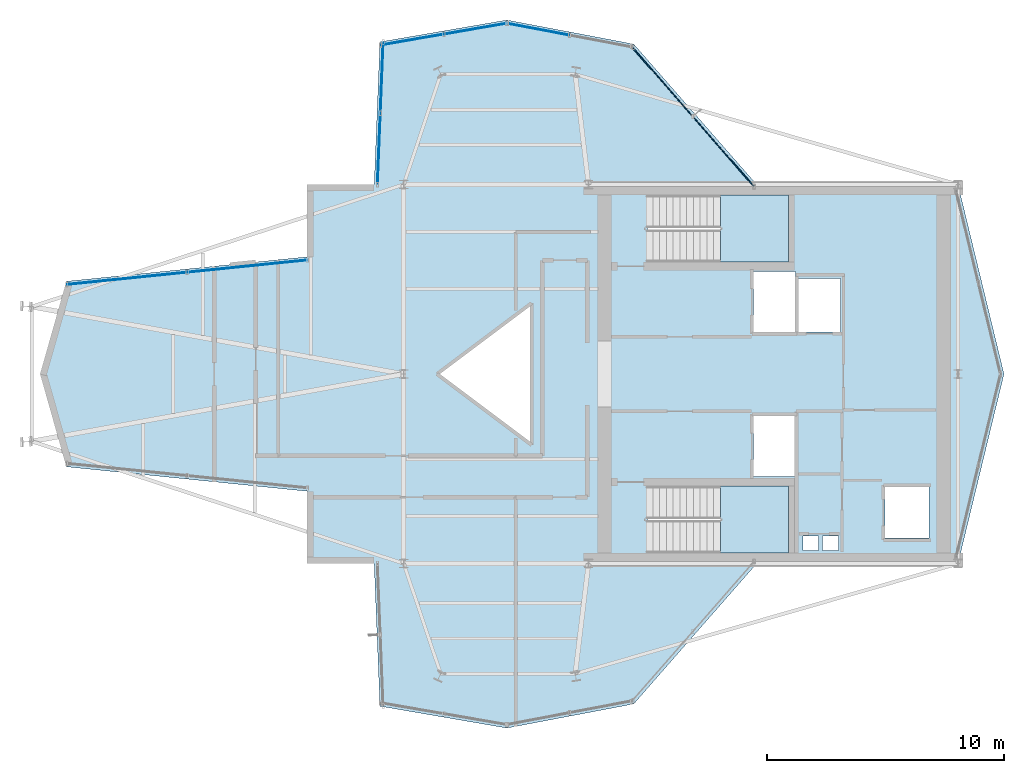
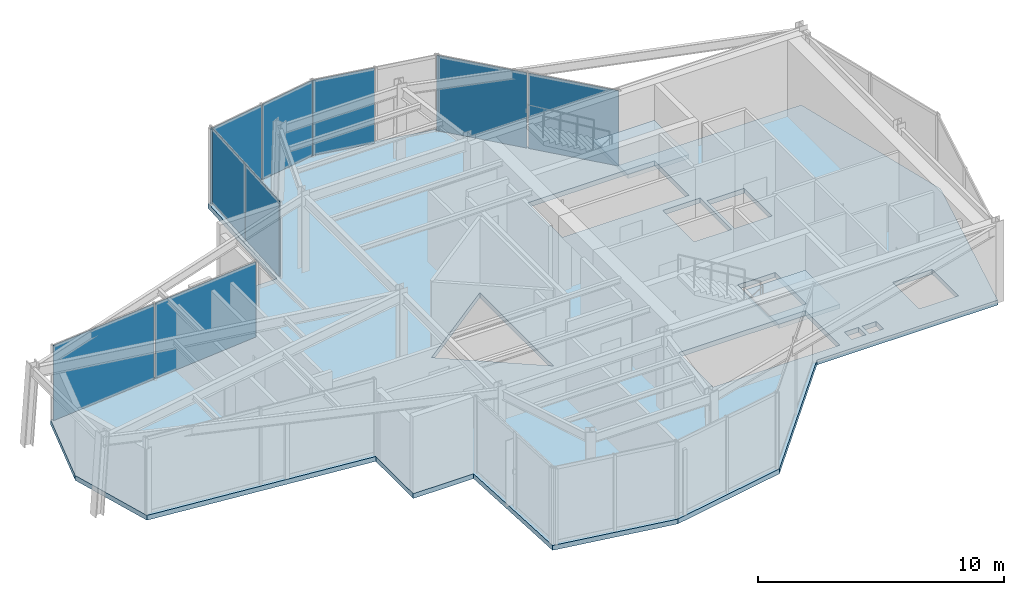
# One storey, part 9 of 13: 9 plates, 3 slabs, 7 elements without a shape of their own.
"""IFC4 building model written with IfcOpenShell, lengths in metres."""

import ifcopenshell
import ifcopenshell.guid

model = None  # the IFC model being written
_history = None  # IfcOwnerHistory: only IFC2X3 demands one
_inside = {}  # id of a spatial element -> (the spatial element, [elements in it])
_under = {}  # id of a project, library or spatial element -> (it, [spatial elements below it])
_declared = {}  # id of a project -> (the project, [libraries it declares])
_typed = {}  # id of a type object -> (the type object, [elements of that type])
_made_of = {}  # id of a material, layer set ... -> (it, [elements and type objects made of it])


def new_model(schema):
    """Start an empty IFC model of exactly this schema.

    Asked for "IFC4X3", IfcOpenShell would pick the latest addendum, in which some entities
    have other attributes; the version numbers below select the first issue.
    IFC2X3 requires an IfcOwnerHistory on every rooted entity: one is made here for all.
    """
    global model, _history
    if schema == "IFC4X3":
        model = ifcopenshell.file(schema_version=(4, 3, 0, 0))
    else:
        model = ifcopenshell.file(schema=schema)
    _inside.clear()
    _under.clear()
    _declared.clear()
    _typed.clear()
    _made_of.clear()
    _history = None
    if model.schema == "IFC2X3":
        org = make("IfcOrganization", Name="unknown")
        user = make(
            "IfcPersonAndOrganization",
            ThePerson=make("IfcPerson", FamilyName="unknown"),
            TheOrganization=org,
        )
        app = make(
            "IfcApplication",
            ApplicationDeveloper=org,
            Version="unknown",
            ApplicationFullName="unknown",
            ApplicationIdentifier="unknown",
        )
        _history = make(
            "IfcOwnerHistory",
            OwningUser=user,
            OwningApplication=app,
            ChangeAction="ADDED",
            CreationDate=0,
        )
    return model


def make(cls, **values):
    """One entity of the class cls with the attributes given. An attribute that is None is left unset."""
    return model.create_entity(
        cls, **{name: value for name, value in values.items() if value is not None}
    )


def rooted(cls, **values):
    """An entity with a GlobalId (a new one), such as an element, a storey or a relation."""
    return make(cls, GlobalId=ifcopenshell.guid.new(), OwnerHistory=_history, **values)


def si_unit(unit_type, name, prefix=None):
    """IfcSIUnit, for example si_unit("LENGTHUNIT", "METRE", prefix="MILLI")."""
    return make("IfcSIUnit", UnitType=unit_type, Prefix=prefix, Name=name)


def assignment(units):
    """IfcUnitAssignment: the units of a project."""
    return None if units is None else make("IfcUnitAssignment", Units=units)


def point(xyz):
    """IfcCartesianPoint."""
    return None if xyz is None else make("IfcCartesianPoint", Coordinates=xyz)


def direction(xyz):
    """IfcDirection."""
    return None if xyz is None else make("IfcDirection", DirectionRatios=xyz)


def frame(location, z_axis=None, x_axis=None):
    """IfcAxis2Placement3D, a coordinate frame: its origin and axes. An axis left out is left unset."""
    return make(
        "IfcAxis2Placement3D",
        Location=point(location),
        Axis=direction(z_axis),
        RefDirection=direction(x_axis),
    )


def frame_2d(location, x_axis=None):
    """IfcAxis2Placement2D, a coordinate frame in the plane: its origin and x axis."""
    return make(
        "IfcAxis2Placement2D", Location=point(location), RefDirection=direction(x_axis)
    )


def origin():
    """The frame at (0, 0, 0) with its axes left unset."""
    return frame((0.0, 0.0, 0.0))


def origin_2d():
    """The frame at (0, 0) in the plane with its x axis left unset."""
    return frame_2d((0.0, 0.0))


def place(relative_to, where):
    """IfcLocalPlacement: puts the frame where relative to a parent placement (None: the world)."""
    return make(
        "IfcLocalPlacement", PlacementRelTo=relative_to, RelativePlacement=where
    )


def context(
    kind, dimensions, precision=None, world=None, true_north=None, identifier=None
):
    """IfcGeometricRepresentationContext, for example the 3D "Model" context."""
    return make(
        "IfcGeometricRepresentationContext",
        ContextIdentifier=identifier,
        ContextType=kind,
        CoordinateSpaceDimension=dimensions,
        Precision=precision,
        WorldCoordinateSystem=world,
        TrueNorth=true_north,
    )


def subcontext(parent, identifier, kind, view, scale=None):
    """IfcGeometricRepresentationSubContext, for example "Body" below "Model"."""
    return make(
        "IfcGeometricRepresentationSubContext",
        ContextIdentifier=identifier,
        ContextType=kind,
        ParentContext=parent,
        TargetScale=scale,
        TargetView=view,
    )


def project(units=None, contexts=None):
    """IfcProject with its units and contexts."""
    return rooted(
        "IfcProject",
        Name="project",
        RepresentationContexts=contexts,
        UnitsInContext=assignment(units),
    )


def spatial(cls, under=None, at=None, **own):
    """A site, building, storey or space (cls), placed at a placement, below another one or the project."""
    s = rooted(cls, ObjectPlacement=at, **own)
    if under is not None:
        _under.setdefault(under.id(), (under, []))[1].append(s)
    return s


def polyline(points):
    """IfcPolyline through the points."""
    return make("IfcPolyline", Points=[point(p) for p in points])


def profile(cls, at=None, kind="AREA", **sizes):
    """A parametric profile (cls). Its sizes go by their IFC names, for example OverallWidth=200.0."""
    return make(cls, ProfileType=kind, Position=at, **sizes)


def rectangle(**sizes):
    """IfcRectangleProfileDef."""
    return profile("IfcRectangleProfileDef", **sizes)


def outline(outer, holes=None, kind="AREA"):
    """IfcArbitraryClosedProfileDef: a profile drawn as a closed curve; with holes, ...WithVoids."""
    if holes is None:
        return make("IfcArbitraryClosedProfileDef", ProfileType=kind, OuterCurve=outer)
    return make(
        "IfcArbitraryProfileDefWithVoids",
        ProfileType=kind,
        OuterCurve=outer,
        InnerCurves=holes,
    )


def extrude(swept, where, along, depth):
    """IfcExtrudedAreaSolid: the profile swept, set in the frame where, extruded along a direction by depth."""
    return make(
        "IfcExtrudedAreaSolid",
        SweptArea=swept,
        Position=where,
        ExtrudedDirection=direction(along),
        Depth=depth,
    )


def shape(context_of_items, identifier, shape_type, items):
    """IfcShapeRepresentation: the items that make up one representation, for example the "Body"."""
    return make(
        "IfcShapeRepresentation",
        ContextOfItems=context_of_items,
        RepresentationIdentifier=identifier,
        RepresentationType=shape_type,
        Items=items,
    )


def material(Name=None, Category=None):
    """IfcMaterial."""
    return make("IfcMaterial", Name=Name, Category=Category)


def layer(
    of_material, thickness, ventilated=None, Name=None, Category=None, Priority=None
):
    """IfcMaterialLayer: one layer of a wall or slab, of a material (None: an air gap)."""
    return make(
        "IfcMaterialLayer",
        Material=of_material,
        LayerThickness=thickness,
        IsVentilated=ventilated,
        Name=Name,
        Category=Category,
        Priority=Priority,
    )


def layer_set(layers, Name=None):
    """IfcMaterialLayerSet."""
    return make("IfcMaterialLayerSet", MaterialLayers=layers, LayerSetName=Name)


def made_of(thing, what):
    """Note that an element or type object is made of a material, layer set ...; save() writes the relation."""
    if what is not None:
        _made_of.setdefault(what.id(), (what, []))[1].append(thing)
    return thing


def type_object(cls, material=None, **own):
    """A type object (cls), such as IfcWallType, which elements share."""
    return made_of(rooted(cls, **own), material)


def element(
    cls,
    number,
    at=None,
    inside=None,
    cuts=None,
    type_object=None,
    material=None,
    context=None,
    identifier="Body",
    shape_type=None,
    held_by="IfcProductDefinitionShape",
    body=None,
    shapes=None,
    **own,
):
    """One element of the class cls, such as IfcWall. Its Tag is "e" and its number.

    at: its placement. inside: the storey or other place that contains it. cuts: it is an
    opening in that element (IfcRelVoidsElement). A single representation is given by context,
    identifier, shape_type and body (its items); several are given by shapes. held_by: the class
    of the entity that holds the representations. save() writes the other relations.
    """
    e = rooted(cls, Tag="e%d" % number, ObjectPlacement=at, **own)
    if body is not None:
        shapes = [shape(context, identifier, shape_type, body)]
    if shapes is not None:
        e.Representation = make(held_by, Representations=shapes)
    if inside is not None:
        _inside.setdefault(inside.id(), (inside, []))[1].append(e)
    if cuts is not None:
        rooted(
            "IfcRelVoidsElement", RelatingBuildingElement=cuts, RelatedOpeningElement=e
        )
    if type_object is not None:
        _typed.setdefault(type_object.id(), (type_object, []))[1].append(e)
    return made_of(e, material)


def aggregate(whole, parts):
    """IfcRelAggregates: a whole, such as a stair, and the parts it consists of."""
    return rooted("IfcRelAggregates", RelatingObject=whole, RelatedObjects=parts)


def save(model, path):
    """Write the relations noted so far, then the file.

    IfcRelAggregates (storeys below a building ...), IfcRelContainedInSpatialStructure (elements
    in a storey), IfcRelDefinesByType, IfcRelAssociatesMaterial and IfcRelDeclares: one each for
    every whole, place, type object, material and project.
    """
    for whole, parts in _under.values():
        aggregate(whole, parts)
    for where, things in _inside.values():
        rooted(
            "IfcRelContainedInSpatialStructure",
            RelatedElements=things,
            RelatingStructure=where,
        )
    for kind, things in _typed.values():
        rooted("IfcRelDefinesByType", RelatedObjects=things, RelatingType=kind)
    for what, things in _made_of.values():
        rooted("IfcRelAssociatesMaterial", RelatedObjects=things, RelatingMaterial=what)
    for by, libraries in _declared.values():
        rooted("IfcRelDeclares", RelatingContext=by, RelatedDefinitions=libraries)
    model.write(path)


model = new_model("IFC4")

# Units and contexts
model_context = context("Model", 3, precision=1e-05, world=origin(), true_north=direction((0.0, 1.0)))
body_context = subcontext(model_context, "Body", "Model", "MODEL_VIEW")
ifc_project = project(units=[si_unit("LENGTHUNIT", "METRE"), si_unit("AREAUNIT", "SQUARE_METRE"), si_unit("VOLUMEUNIT", "CUBIC_METRE"), si_unit("PLANEANGLEUNIT", "RADIAN"), si_unit("MASSUNIT", "GRAM", prefix="KILO")], contexts=[model_context])

# Site, building, storey
site_placement = place(None, origin())
site = spatial("IfcSite", under=ifc_project, at=site_placement, CompositionType="ELEMENT")
building_placement = place(site_placement, origin())
building = spatial("IfcBuilding", under=site, at=building_placement, Name="Veymaron Broadcast Tower", CompositionType="ELEMENT")
storey_placement = place(building_placement, frame((0.0, 0.0, 274.949951171875)))
storey = spatial("IfcBuildingStorey", under=building, at=storey_placement, Name="L64", CompositionType="ELEMENT", Elevation=274.949951171875)

# Curtain wall, plates
ifc_material_1 = material(Name="Anodised aluminium AA 6063-T6 and laminated low-E dark glass", Category="aluminium")
ifc_layer_1 = layer(ifc_material_1, 0.179931640625)
ifc_layer_set_1 = layer_set([ifc_layer_1], Name="Anodised aluminium AA 6063-T6 and laminated low-E dark glass")
curtain_wall_type = type_object("IfcCurtainWallType", Name="CW-SYS-06", PredefinedType="NOTDEFINED", material=ifc_layer_set_1)
curtain_wall_1_placement = place(storey_placement, origin())
curtain_wall_1 = element("IfcCurtainWall", 1, at=curtain_wall_1_placement, inside=storey, type_object=curtain_wall_type, Name="L64 dark-glass curtain wall CW-L64-E5-1", PredefinedType="NOTDEFINED")
ifc_material_2 = material(Name="Insulated dark-anodised aluminium spandrel panel 40 mm", Category="aluminium")
ifc_layer_2 = layer(ifc_material_2, 0.0400390625)
ifc_layer_set_2 = layer_set([ifc_layer_2], Name="Insulated dark-anodised aluminium spandrel panel 40 mm")
plate_type = type_object("IfcPlateType", Name="CW-PNL-03", PredefinedType="CURTAIN_PANEL", material=ifc_layer_set_2)
plate_1_placement = place(storey_placement, frame((44.697509765625, 33.389892578125, 0.0400390625), z_axis=(0.0, 0.0, 1.0), x_axis=(-0.658558128912, 0.752529860433, 0.0)))
plate_1 = element("IfcPlate", 2, at=plate_1_placement, type_object=plate_type, Name="CW-L64-E5-1 unitised curtain panel 0", PredefinedType="CURTAIN_PANEL", context=body_context, shape_type="SweptSolid", body=[
    extrude(rectangle(XDim=3.87939453125, YDim=0.0400390625, at=origin_2d()), origin(), (0.0, 0.0, 1.0), 3.72998046875),
])
plate_2_placement = place(storey_placement, frame((42.10302734375, 36.3544921875, 0.0400390625), z_axis=(0.0, 0.0, 1.0), x_axis=(-0.658558128912, 0.752529860433, 0.0)))
plate_2 = element("IfcPlate", 3, at=plate_2_placement, type_object=plate_type, Name="CW-L64-E5-1 unitised curtain panel 1", PredefinedType="CURTAIN_PANEL", context=body_context, shape_type="SweptSolid", body=[
    extrude(rectangle(XDim=3.87939453125, YDim=0.0400390625, at=origin_2d()), origin(), (0.0, 0.0, 1.0), 3.72998046875),
])
aggregate(curtain_wall_1, [plate_1, plate_2])

# Curtain wall, plate
curtain_wall_2_placement = place(storey_placement, origin())
curtain_wall_2 = element("IfcCurtainWall", 4, at=curtain_wall_2_placement, inside=storey, type_object=curtain_wall_type, Name="L64 dark-glass curtain wall CW-L64-E6-1", PredefinedType="NOTDEFINED")
plate_3_placement = place(storey_placement, frame((36.86669921875, 38.5537109375, 0.0400390625), z_axis=(0.0, 0.0, 1.0), x_axis=(-0.982479684732, 0.186369710761, 0.0)))
plate_3 = element("IfcPlate", 5, at=plate_3_placement, type_object=plate_type, Name="CW-L64-E6-1 unitised curtain panel 1", PredefinedType="CURTAIN_PANEL", context=body_context, shape_type="SweptSolid", body=[
    extrude(rectangle(XDim=2.6669921875, YDim=0.0400390625, at=origin_2d()), origin(), (0.0, 0.0, 1.0), 3.72998046875),
])
aggregate(curtain_wall_2, [plate_3])

# Curtain wall, plates
curtain_wall_3_placement = place(storey_placement, origin())
curtain_wall_3 = element("IfcCurtainWall", 6, at=curtain_wall_3_placement, inside=storey, type_object=curtain_wall_type, Name="L64 dark-glass curtain wall CW-L64-E7-1", PredefinedType="NOTDEFINED")
plate_4_placement = place(storey_placement, frame((34.2373046875, 38.576171875, 0.0400390625), z_axis=(0.0, 0.0, 1.0), x_axis=(-0.98545539152, -0.169934314736, 0.0)))
plate_4 = element("IfcPlate", 7, at=plate_4_placement, type_object=plate_type, Name="CW-L64-E7-1 unitised curtain panel 0", PredefinedType="CURTAIN_PANEL", context=body_context, shape_type="SweptSolid", body=[
    extrude(rectangle(XDim=2.65869140625, YDim=0.0400390625, at=origin_2d()), origin(), (0.0, 0.0, 1.0), 3.72998046875),
])
plate_5_placement = place(storey_placement, frame((31.558349609375, 38.1142578125, 0.0400390625), z_axis=(0.0, 0.0, 1.0), x_axis=(-0.98545539152, -0.169934314736, 0.0)))
plate_5 = element("IfcPlate", 8, at=plate_5_placement, type_object=plate_type, Name="CW-L64-E7-1 unitised curtain panel 1", PredefinedType="CURTAIN_PANEL", context=body_context, shape_type="SweptSolid", body=[
    extrude(rectangle(XDim=2.65869140625, YDim=0.0400390625, at=origin_2d()), origin(), (0.0, 0.0, 1.0), 3.72998046875),
])
aggregate(curtain_wall_3, [plate_4, plate_5])

curtain_wall_4_placement = place(storey_placement, origin())
curtain_wall_4 = element("IfcCurtainWall", 9, at=curtain_wall_4_placement, inside=storey, type_object=curtain_wall_type, Name="L64 dark-glass curtain wall CW-L64-E8-1", PredefinedType="NOTDEFINED")
plate_6_placement = place(storey_placement, frame((30.274658203125, 36.51025390625, 0.0400390625), z_axis=(0.0, 0.0, 1.0), x_axis=(-0.04004459622, -0.999197893469, 0.0)))
plate_6 = element("IfcPlate", 10, at=plate_6_placement, type_object=plate_type, Name="CW-L64-E8-1 unitised curtain panel 0", PredefinedType="CURTAIN_PANEL", context=body_context, shape_type="SweptSolid", body=[
    extrude(rectangle(XDim=2.952880859375, YDim=0.0400390625, at=origin_2d()), origin(), (0.0, 0.0, 1.0), 3.72998046875),
])
plate_7_placement = place(storey_placement, frame((30.15380859375, 33.499755859375, 0.0400390625), z_axis=(0.0, 0.0, 1.0), x_axis=(-0.04004459622, -0.999197893469, 0.0)))
plate_7 = element("IfcPlate", 11, at=plate_7_placement, type_object=plate_type, Name="CW-L64-E8-1 unitised curtain panel 1", PredefinedType="CURTAIN_PANEL", context=body_context, shape_type="SweptSolid", body=[
    extrude(rectangle(XDim=2.952880859375, YDim=0.0400390625, at=origin_2d()), origin(), (0.0, 0.0, 1.0), 3.72998046875),
])
aggregate(curtain_wall_4, [plate_6, plate_7])

curtain_wall_5_placement = place(storey_placement, origin())
curtain_wall_5 = element("IfcCurtainWall", 12, at=curtain_wall_5_placement, inside=storey, type_object=curtain_wall_type, Name="L64 dark-glass curtain wall CW-L64-E11-1", PredefinedType="NOTDEFINED")
plate_8_placement = place(storey_placement, frame((24.595458984375, 28.55126953125, 0.0400390625), z_axis=(0.0, 0.0, 1.0), x_axis=(-0.994870120783, -0.101160480293, 0.0)))
plate_8 = element("IfcPlate", 13, at=plate_8_placement, type_object=plate_type, Name="CW-L64-E11-1 unitised curtain panel 0", PredefinedType="CURTAIN_PANEL", context=body_context, shape_type="SweptSolid", body=[
    extrude(rectangle(XDim=5.047119140625, YDim=0.0400390625, at=origin_2d()), origin(), (0.0, 0.0, 1.0), 3.72998046875),
])
plate_9_placement = place(storey_placement, frame((19.5146484375, 28.03466796875, 0.0400390625), z_axis=(0.0, 0.0, 1.0), x_axis=(-0.994870120783, -0.101160480293, 0.0)))
plate_9 = element("IfcPlate", 14, at=plate_9_placement, type_object=plate_type, Name="CW-L64-E11-1 unitised curtain panel 1", PredefinedType="CURTAIN_PANEL", context=body_context, shape_type="SweptSolid", body=[
    extrude(rectangle(XDim=5.047119140625, YDim=0.0400390625, at=origin_2d()), origin(), (0.0, 0.0, 1.0), 3.72998046875),
])
aggregate(curtain_wall_5, [plate_8, plate_9])

# Slab
ifc_material_3 = material(Name="Concrete C40/50", Category="concrete")
ifc_layer_3 = layer(ifc_material_3, 0.239990234375)
ifc_layer_set_3 = layer_set([ifc_layer_3], Name="Concrete C40/50")
slab_type_1 = type_object("IfcSlabType", Name="SLAB-FS6", PredefinedType="FLOOR", material=ifc_layer_set_3)
slab_1_placement = place(storey_placement, frame((0.0, 0.0, -0.239990234375)))
element("IfcSlab", 15, at=slab_1_placement, inside=storey, type_object=slab_type_1, Name="L64 structural floor slab", PredefinedType="FLOOR", context=body_context, shape_type="SweptSolid", body=[
    extrude(outline(polyline([(46.099853515625, 16.0), (54.60009765625, 16.0), (56.540283203125, 24.0), (54.60009765625, 32.0), (46.099853515625, 32.0), (40.911376953125, 37.9287109375), (35.55322265625, 38.9453125), (30.195068359375, 38.021240234375), (29.95361328125, 32.0), (27.12158203125, 32.0), (27.12158203125, 28.94873046875), (16.9599609375, 27.91552734375), (15.851318359375, 24.0), (16.9599609375, 20.08447265625), (27.12158203125, 19.05126953125), (27.12158203125, 16.0), (29.95361328125, 16.0), (30.195068359375, 9.978759765625), (35.55322265625, 9.0546875), (40.911376953125, 10.0712890625), (46.099853515625, 16.0)]), holes=[polyline([(45.969970703125, 28.330078125), (47.72998046875, 28.330078125), (47.72998046875, 25.77001953125), (45.969970703125, 25.77001953125), (45.969970703125, 28.330078125)]), polyline([(45.969970703125, 22.22998046875), (47.72998046875, 22.22998046875), (47.72998046875, 19.669921875), (45.969970703125, 19.669921875), (45.969970703125, 22.22998046875)]), polyline([(47.8701171875, 28.030029296875), (49.6298828125, 28.030029296875), (49.6298828125, 25.77001953125), (47.8701171875, 25.77001953125), (47.8701171875, 28.030029296875)]), polyline([(51.52001953125, 19.22998046875), (53.3798828125, 19.22998046875), (53.3798828125, 17.070068359375), (51.52001953125, 17.070068359375), (51.52001953125, 19.22998046875)]), polyline([(48.050048828125, 17.159912109375), (48.719970703125, 17.159912109375), (48.719970703125, 16.56005859375), (48.050048828125, 16.56005859375), (48.050048828125, 17.159912109375)]), polyline([(48.8798828125, 17.159912109375), (49.550048828125, 17.159912109375), (49.550048828125, 16.56005859375), (48.8798828125, 16.56005859375), (48.8798828125, 17.159912109375)]), polyline([(36.60009765625, 27.0), (36.60009765625, 21.0), (32.60009765625, 24.0), (36.60009765625, 27.0)]), polyline([(41.489990234375, 31.550048828125), (47.43994140625, 31.550048828125), (47.43994140625, 28.72998046875), (41.489990234375, 28.72998046875), (41.489990234375, 31.550048828125)]), polyline([(41.489990234375, 19.27001953125), (47.43994140625, 19.27001953125), (47.43994140625, 16.449951171875), (41.489990234375, 16.449951171875), (41.489990234375, 19.27001953125)])]), origin(), (0.0, 0.0, 1.0), 0.239990234375),
])

# Stair, slab
ifc_material_4 = material(Name="Concrete C50/60", Category="concrete")
stair_type_1 = type_object("IfcStairType", Name="STAIR-CORE-1", PredefinedType="HALF_TURN_STAIR", material=ifc_material_4)
stair_1_placement = place(storey_placement, origin())
stair_1 = element("IfcStair", 16, at=stair_1_placement, inside=storey, type_object=stair_type_1, Name="L64 North protected dog-leg exit stair ST1", PredefinedType="HALF_TURN_STAIR")
ifc_layer_4 = layer(ifc_material_4, 0.199951171875)
ifc_layer_set_4 = layer_set([ifc_layer_4], Name="Concrete C50/60")
slab_type_2 = type_object("IfcSlabType", Name="SLAB-STAIR-LDG", PredefinedType="LANDING", material=ifc_layer_set_4)
slab_2_placement = place(storey_placement, frame((0.0, 0.0, 1.824951171875)))
slab_2 = element("IfcSlab", 17, at=slab_2_placement, type_object=slab_type_2, Name="ST1 landing 1", PredefinedType="LANDING", context=body_context, shape_type="SweptSolid", body=[
    extrude(outline(polyline([(44.56494140625, 28.72998046875), (47.43994140625, 28.72998046875), (47.43994140625, 31.550048828125), (44.56494140625, 31.550048828125), (44.56494140625, 28.72998046875)])), origin(), (0.0, 0.0, 1.0), 0.2001953125),
])
aggregate(stair_1, [slab_2])

stair_type_2 = type_object("IfcStairType", Name="STAIR-CORE-2", PredefinedType="HALF_TURN_STAIR", material=ifc_material_4)
stair_2_placement = place(storey_placement, origin())
stair_2 = element("IfcStair", 18, at=stair_2_placement, inside=storey, type_object=stair_type_2, Name="L64 South protected dog-leg exit stair ST2", PredefinedType="HALF_TURN_STAIR")
slab_3_placement = place(storey_placement, frame((0.0, 0.0, 1.824951171875)))
slab_3 = element("IfcSlab", 19, at=slab_3_placement, type_object=slab_type_2, Name="ST2 landing 1", PredefinedType="LANDING", context=body_context, shape_type="SweptSolid", body=[
    extrude(outline(polyline([(44.56494140625, 16.449951171875), (47.43994140625, 16.449951171875), (47.43994140625, 19.27001953125), (44.56494140625, 19.27001953125), (44.56494140625, 16.449951171875)])), origin(), (0.0, 0.0, 1.0), 0.2001953125),
])
aggregate(stair_2, [slab_3])

save(model, "model.ifc")
